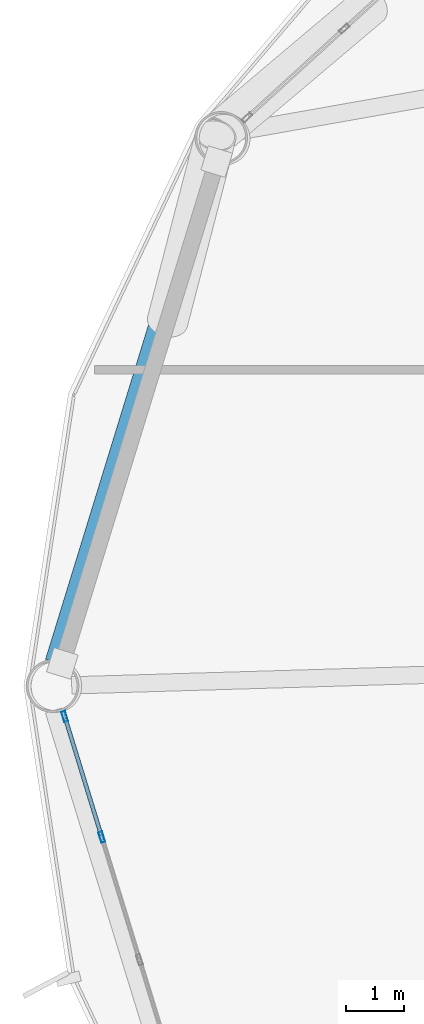
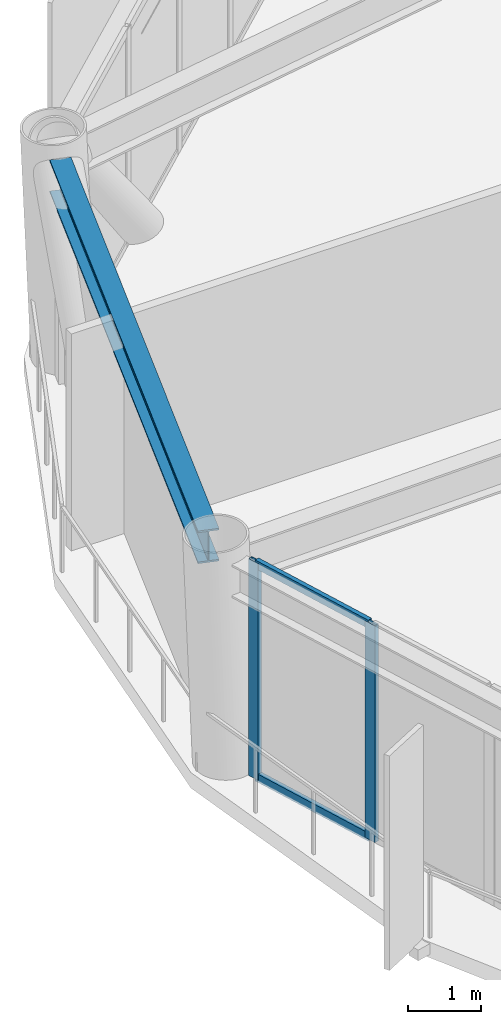
# One storey, part 10 of 26: 4 members, 1 beam, 1 element without a shape of its own.
"""IFC4 building model written with IfcOpenShell, lengths in metres."""

from ifc_helpers import new_model, si_unit, direction, frame, origin, origin_2d, place, context, subcontext, project, spatial, hollow_rectangle, i_section, extrude, material, layer, layer_set, material_profile, profile_set, type_object, element, aggregate, save


model = new_model("IFC4")

# Units and contexts
model_context = context("Model", 3, precision=1e-05, world=origin(), true_north=direction((0.0, 1.0)))
body_context = subcontext(model_context, "Body", "Model", "MODEL_VIEW")
ifc_project = project(units=[si_unit("LENGTHUNIT", "METRE"), si_unit("AREAUNIT", "SQUARE_METRE"), si_unit("VOLUMEUNIT", "CUBIC_METRE"), si_unit("PLANEANGLEUNIT", "RADIAN"), si_unit("MASSUNIT", "GRAM", prefix="KILO")], contexts=[model_context])

# Site, building, storey
site_placement = place(None, origin())
site = spatial("IfcSite", under=ifc_project, at=site_placement, CompositionType="ELEMENT")
building_placement = place(site_placement, origin())
building = spatial("IfcBuilding", under=site, at=building_placement, Name="Varnakorn Sky Granary", CompositionType="ELEMENT")
storey_placement = place(building_placement, frame((0.0, 0.0, 47.10009765625)))
storey = spatial("IfcBuildingStorey", under=building, at=storey_placement, Name="L11", CompositionType="ELEMENT", Elevation=47.10009765625)

# Beam
ifc_material_1 = material(Name="Steel S355JR", Category="steel")
ifc_material_profile_1 = material_profile(ifc_material_1, i_section(OverallWidth=0.300048828125, OverallDepth=0.550048828125, WebThickness=0.014892578125, FlangeThickness=0.029052734375, at=origin_2d()), Name="HE 550 B")
ifc_profile_set_1 = profile_set([ifc_material_profile_1], Name="Steel S355JR")
beam_type = type_object("IfcBeamType", Name="BM-SPD-Z1", PredefinedType="SPANDREL", material=ifc_profile_set_1)
beam_placement = place(storey_placement, frame((-19.793212890625, 9.146484375, 3.364990234375), z_axis=(-0.294132835828, -0.955764549922, 0.0), x_axis=(0.955764549922, -0.294132835828, 0.0)))
element("IfcBeam", 1, at=beam_placement, inside=storey, type_object=beam_type, Name="Perimeter Spandrel Ring Beam RB06 L11", PredefinedType="SPANDREL", context=body_context, shape_type="SweptSolid", body=[
    extrude(i_section(OverallWidth=0.300048828125, OverallDepth=0.550048828125, WebThickness=0.014892578125, FlangeThickness=0.029052734375, at=origin_2d()), origin(), (0.0, 0.0, 1.0), 9.1279296875),
])

# Curtain wall, members
ifc_material_2 = material(Name="Anodised Bronze Aluminium Alloy 6063-T6", Category="aluminium")
ifc_layer = layer(ifc_material_2, 0.18994140625, Name="Anodised Bronze Aluminium Alloy 6063-T6")
ifc_layer_set = layer_set([ifc_layer], Name="Anodised Bronze Aluminium Alloy 6063-T6")
curtain_wall_type = type_object("IfcCurtainWallType", Name="CW-FRM-1", PredefinedType="USERDEFINED", material=ifc_layer_set)
curtain_wall_placement = place(storey_placement, origin())
curtain_wall = element("IfcCurtainWall", 2, at=curtain_wall_placement, inside=storey, type_object=curtain_wall_type, Name="Unitised Curtain Wall CW3 CW-L11-B07", ObjectType="CURTAIN WALL", PredefinedType="USERDEFINED")
ifc_material_profile_2 = material_profile(ifc_material_2, hollow_rectangle(XDim=0.070068359375, YDim=0.18505859375, WallThickness=0.00390625, at=origin_2d()), Name="ALU MULL 70x185")
ifc_profile_set_2 = profile_set([ifc_material_profile_2], Name="Anodised Bronze Aluminium Alloy 6063-T6")
member_type_1 = type_object("IfcMemberType", Name="CW-FRM-1-MULL", PredefinedType="MULLION", material=ifc_profile_set_2)
member_1_placement = place(storey_placement, frame((-21.64306640625, -2.6240234375, 0.0), z_axis=(0.0, 0.0, 1.0), x_axis=(-0.955828241263, -0.293925795403, 0.0)))
member_1 = element("IfcMember", 3, at=member_1_placement, type_object=member_type_1, Name="CW3 mullion 4", PredefinedType="MULLION", context=body_context, shape_type="SweptSolid", body=[
    extrude(hollow_rectangle(XDim=0.070068359375, YDim=0.18505859375, WallThickness=0.00390625, at=origin_2d()), origin(), (0.0, 0.0, 1.0), 3.639892578125),
])
member_2_placement = place(storey_placement, frame((-22.28759765625, -0.527587890625, 0.0), z_axis=(0.0, 0.0, 1.0), x_axis=(-0.955828241263, -0.293925795403, 0.0)))
member_2 = element("IfcMember", 4, at=member_2_placement, type_object=member_type_1, Name="CW3 mullion 5", PredefinedType="MULLION", context=body_context, shape_type="SweptSolid", body=[
    extrude(hollow_rectangle(XDim=0.070068359375, YDim=0.18505859375, WallThickness=0.00390625, at=origin_2d()), origin(), (0.0, 0.0, 1.0), 3.639892578125),
])
ifc_material_profile_3 = material_profile(ifc_material_2, hollow_rectangle(XDim=0.070068359375, YDim=0.139892578125, WallThickness=0.00341796875, at=origin_2d()), Name="ALU TRAN 70x140")
ifc_profile_set_3 = profile_set([ifc_material_profile_3], Name="Anodised Bronze Aluminium Alloy 6063-T6")
member_type_2 = type_object("IfcMemberType", Name="CW-FRM-1-TRAN", PredefinedType="USERDEFINED", material=ifc_profile_set_3)
member_3_placement = place(storey_placement, frame((-21.6533203125, -2.590576171875, 0.034912109375), z_axis=(-0.293891928557, 0.955838654967, 0.0), x_axis=(-0.955838654967, -0.293891928557, 0.0)))
member_3 = element("IfcMember", 5, at=member_3_placement, type_object=member_type_2, Name="CW3 transom 4.1", ObjectType="TRANSOM", PredefinedType="USERDEFINED", context=body_context, shape_type="SweptSolid", body=[
    extrude(hollow_rectangle(XDim=0.070068359375, YDim=0.139892578125, WallThickness=0.00341796875, at=origin_2d()), origin(), (0.0, 0.0, 1.0), 2.123291015625),
])
member_4_placement = place(storey_placement, frame((-21.6533203125, -2.590576171875, 3.60498046875), z_axis=(-0.293891928557, 0.955838654967, 0.0), x_axis=(-0.955838654967, -0.293891928557, 0.0)))
member_4 = element("IfcMember", 6, at=member_4_placement, type_object=member_type_2, Name="CW3 transom 4.2", ObjectType="TRANSOM", PredefinedType="USERDEFINED", context=body_context, shape_type="SweptSolid", body=[
    extrude(hollow_rectangle(XDim=0.070068359375, YDim=0.139892578125, WallThickness=0.00341796875, at=origin_2d()), origin(), (0.0, 0.0, 1.0), 2.123291015625),
])
aggregate(curtain_wall, [member_1, member_2, member_3, member_4])

save(model, "model.ifc")
